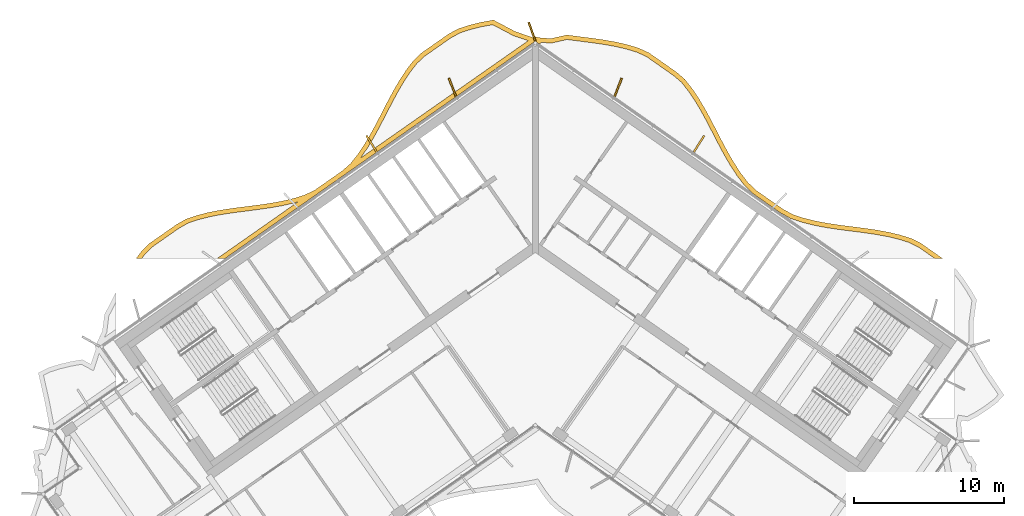
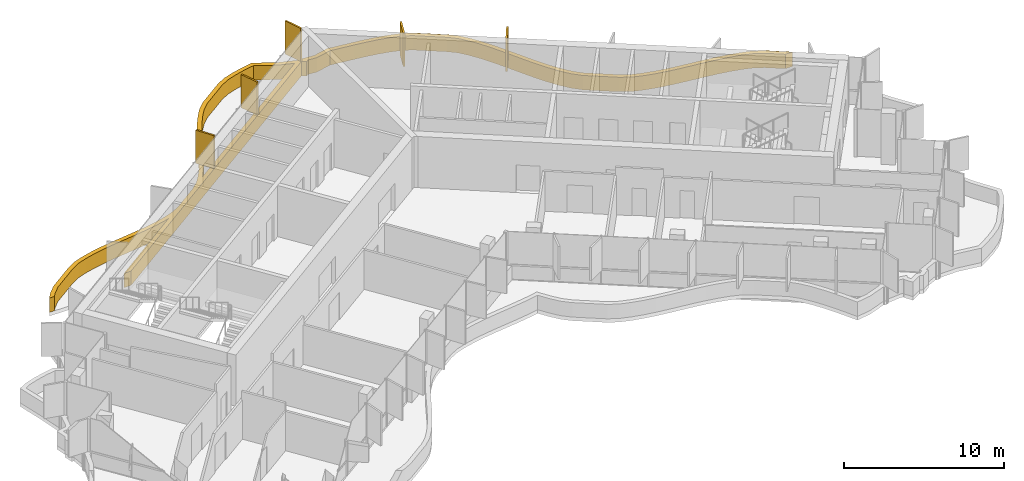
# One storey, part 17 of 17: 6 shading devices.
"""IFC4 building model written with IfcOpenShell, lengths in metres."""

from ifc_helpers import new_model, si_unit, direction, frame, origin, origin_2d, place, context, subcontext, project, spatial, polyline, rectangle, outline, extrude, material, layer, layer_set, type_object, element, save


model = new_model("IFC4")

# Units and contexts
model_context = context("Model", 3, precision=1e-05, world=origin(), true_north=direction((0.0, 1.0)))
body_context = subcontext(model_context, "Body", "Model", "MODEL_VIEW")
ifc_project = project(units=[si_unit("LENGTHUNIT", "METRE"), si_unit("AREAUNIT", "SQUARE_METRE"), si_unit("VOLUMEUNIT", "CUBIC_METRE"), si_unit("PLANEANGLEUNIT", "RADIAN"), si_unit("MASSUNIT", "GRAM", prefix="KILO")], contexts=[model_context])

# Site, building, storey
site_placement = place(None, origin())
site = spatial("IfcSite", under=ifc_project, at=site_placement, CompositionType="ELEMENT")
building_placement = place(site_placement, origin())
building = spatial("IfcBuilding", under=site, at=building_placement, Name="Tel Ilan Convention Tower", CompositionType="ELEMENT")
storey_placement = place(building_placement, frame((0.0, 0.0, 280.0)))
storey = spatial("IfcBuildingStorey", under=building, at=storey_placement, Name="L66", CompositionType="ELEMENT", Elevation=280.0)

# Shading devices
ifc_material_1 = material(Name="Aluminium, bronze anodised", Category="aluminium")
ifc_layer_1 = layer(ifc_material_1, 0.1201171875)
ifc_layer_set_1 = layer_set([ifc_layer_1], Name="FIN BRONZE 1300x120")
shading_device_type_1 = type_object("IfcShadingDeviceType", Name="FIN BRONZE 1300x120", PredefinedType="USERDEFINED", material=ifc_layer_set_1)
for number, where, z_axis, x_axis, name in (
    (1, (10.87841796875, 5.99658203125, 1.10009765625), (0.0, 0.0, 1.0), (0.533204432798, 0.845986425922, 0.0), "FIN"),
    (2, (5.50732421875, 9.7490234375, 1.10009765625), (0.0, 0.0, 1.0), (0.360177724803, 0.932883704733, 0.0), "FIN"),
    (3, (-0.21630859375, 13.450439453125, 1.10009765625), (0.0, 0.0, 1.0), (-0.332892691468, 0.942964716183, 0.0), "FIN"),
    (4, (-5.50732421875, 9.7490234375, 1.10009765625), (0.0, 0.0, 1.0), (-0.360177724803, 0.932883704733, 0.0), "FIN"),
    (5, (-10.87841796875, 5.99658203125, 1.10009765625), (0.0, 0.0, 1.0), (-0.533204432798, 0.845986425922, 0.0), "FIN"),
):
    element("IfcShadingDevice", number, at=place(storey_placement, frame(where, z_axis=z_axis, x_axis=x_axis)), inside=storey, type_object=shading_device_type_1, Name=name, ObjectType="FIN", PredefinedType="USERDEFINED", context=body_context, shape_type="SweptSolid", body=[
        extrude(rectangle(XDim=1.300048828125, YDim=0.1201171875, at=origin_2d()), origin(), (0.0, 0.0, 1.0), 2.52001953125),
    ])
ifc_material_2 = material(Name="Aluminium, bronze anodised", Category="aluminium")
ifc_layer_2 = layer(ifc_material_2, 0.300048828125)
ifc_layer_set_2 = layer_set([ifc_layer_2], Name="LOUVRE BAND 300x1100")
shading_device_type_2 = type_object("IfcShadingDeviceType", Name="LOUVRE BAND 300x1100", PredefinedType="USERDEFINED", material=ifc_layer_set_2)
shading_device_placement = place(storey_placement, origin())
element("IfcShadingDevice", 6, at=shading_device_placement, inside=storey, type_object=shading_device_type_2, Name="LOUVRE BAND 50.02", ObjectType="LOUVRE", PredefinedType="USERDEFINED", context=body_context, shape_type="SweptSolid", body=[
    extrude(outline(polyline([(-26.1787109375, -1.1572265625), (-26.535888671875, -1.631591796875), (-26.160400390625, -1.631591796875), (-25.951416015625, -1.35400390625), (-25.457275390625, -0.856689453125), (-23.680908203125, 0.38720703125), (-23.075439453125, 0.7314453125), (-22.38525390625, 0.962158203125), (-21.640625, 1.14990234375), (-20.86181640625, 1.298828125), (-20.0576171875, 1.420166015625), (-18.409423828125, 1.63232421875), (-17.585205078125, 1.750732421875), (-16.773193359375, 1.89599609375), (-15.982666015625, 2.081298828125), (-15.75634765625, 2.151611328125), (-21.159423828125, -1.631591796875), (-20.63623046875, -1.631591796875), (0.0, 12.818115234375), (0.261474609375, 12.635009765625), (0.4140625, 12.741943359375), (1.040771484375, 12.687744140625), (2.10400390625, 12.9296875), (3.699462890625, 12.72509765625), (4.510009765625, 12.60986328125), (5.2978515625, 12.47119140625), (6.054443359375, 12.297119140625), (6.765625, 12.080078125), (7.40185546875, 11.785888671875), (9.17822265625, 10.5419921875), (9.708740234375, 10.0908203125), (10.16162109375, 9.521240234375), (10.5927734375, 8.885498046875), (10.9990234375, 8.204833984375), (11.38818359375, 7.49072265625), (12.151123046875, 6.014404296875), (12.54443359375, 5.2802734375), (12.958740234375, 4.567138671875), (13.403076171875, 3.8876953125), (13.891357421875, 3.245849609375), (14.459716796875, 2.693359375), (16.302978515625, 1.40283203125), (16.991455078125, 1.02587890625), (17.759521484375, 0.773681640625), (18.544921875, 0.579345703125), (19.353271484375, 0.42724609375), (20.176025390625, 0.3046875), (21.826416015625, 0.092529296875), (22.634765625, -0.025146484375), (23.4189453125, -0.167724609375), (24.1708984375, -0.34716796875), (24.873291015625, -0.569580078125), (25.496826171875, -0.88427734375), (26.56396484375, -1.631591796875), (27.087158203125, -1.631591796875), (25.6513671875, -0.626220703125), (24.987060546875, -0.290771484375), (24.2509765625, -0.057861328125), (23.480712890625, 0.1259765625), (22.68310546875, 0.27099609375), (21.8671875, 0.3896484375), (20.21728515625, 0.601806640625), (19.4033203125, 0.72314453125), (18.60888671875, 0.87255859375), (17.842529296875, 1.062255859375), (17.111328125, 1.30224609375), (16.46142578125, 1.657958984375), (14.6513671875, 2.92529296875), (14.116455078125, 3.4453125), (13.648193359375, 4.060791015625), (13.214111328125, 4.724609375), (12.806396484375, 5.426513671875), (12.416748046875, 6.154052734375), (11.653076171875, 7.631591796875), (11.259521484375, 8.353515625), (10.845947265625, 9.046875), (10.403564453125, 9.69921875), (9.925537109375, 10.300537109375), (9.36181640625, 10.77978515625), (7.552001953125, 12.047119140625), (6.872802734375, 12.361083984375), (6.132080078125, 12.587158203125), (5.357666015625, 12.765380859375), (4.55712890625, 12.90625), (3.739501953125, 13.0224609375), (2.08935546875, 13.234130859375), (1.02001953125, 12.99072265625), (0.168701171875, 13.059326171875), (0.11474609375, 13.09521484375), (0.0, 13.1181640625), (-0.11474609375, 13.09521484375), (-0.168701171875, 13.059326171875), (-1.357666015625, 13.472900390625), (-2.785888671875, 14.228515625), (-3.5830078125, 14.083251953125), (-4.3515625, 13.896484375), (-5.0849609375, 13.66015625), (-5.7421875, 13.314453125), (-7.552001953125, 12.047119140625), (-8.09423828125, 11.53759765625), (-8.56494140625, 10.925537109375), (-9.001220703125, 10.264404296875), (-9.410400390625, 9.564697265625), (-9.801025390625, 8.838623046875), (-10.564453125, 7.36083984375), (-10.95703125, 6.63720703125), (-11.369140625, 5.94189453125), (-11.809326171875, 5.28662109375), (-12.284912109375, 4.681640625), (-12.841552734375, 4.192626953125), (-14.6513671875, 2.92529296875), (-15.3232421875, 2.6005859375), (-16.0615234375, 2.370849609375), (-16.833984375, 2.18994140625), (-17.6328125, 2.046875), (-18.44970703125, 1.9296875), (-20.099365234375, 1.71728515625), (-20.91259765625, 1.594482421875), (-21.705322265625, 1.44287109375), (-22.4697265625, 1.250244140625), (-23.1982421875, 1.0068359375), (-23.84130859375, 0.64111328125), (-25.6513671875, -0.626220703125), (-26.1787109375, -1.1572265625)]), holes=[polyline([(-11.609619140625, 5.05517578125), (-11.115234375, 5.78173828125), (-10.696044921875, 6.4892578125), (-10.29931640625, 7.220458984375), (-9.535400390625, 8.69873046875), (-9.148681640625, 9.41796875), (-8.746337890625, 10.106201171875), (-8.320556640625, 10.751220703125), (-7.871337890625, 11.33544921875), (-7.3623046875, 11.813720703125), (-5.585693359375, 13.0576171875), (-4.96826171875, 13.382568359375), (-4.27001953125, 13.607666015625), (-3.520751953125, 13.78955078125), (-2.834228515625, 13.914794921875), (-1.477294921875, 13.19677734375), (-0.4755859375, 12.851318359375), (-11.609619140625, 5.05517578125)])]), origin(), (0.0, 0.0, 1.0), 1.10009765625),
])

save(model, "model.ifc")
